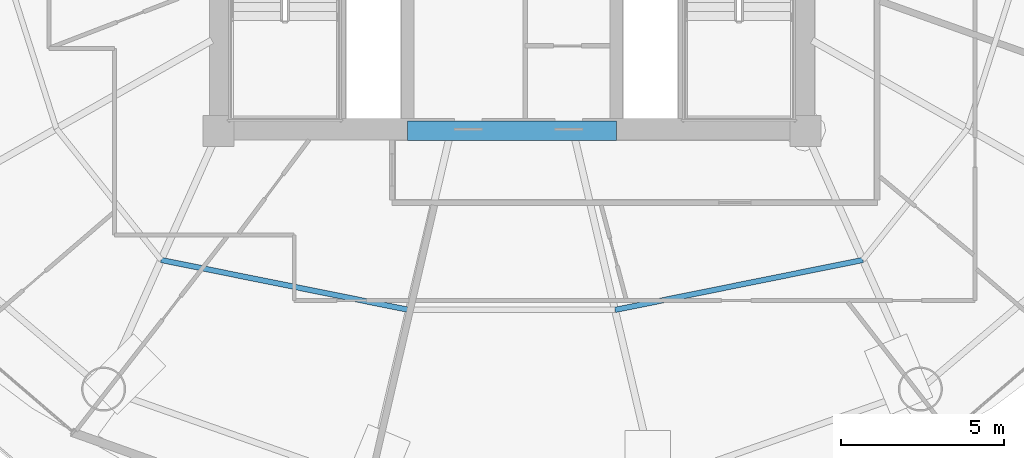
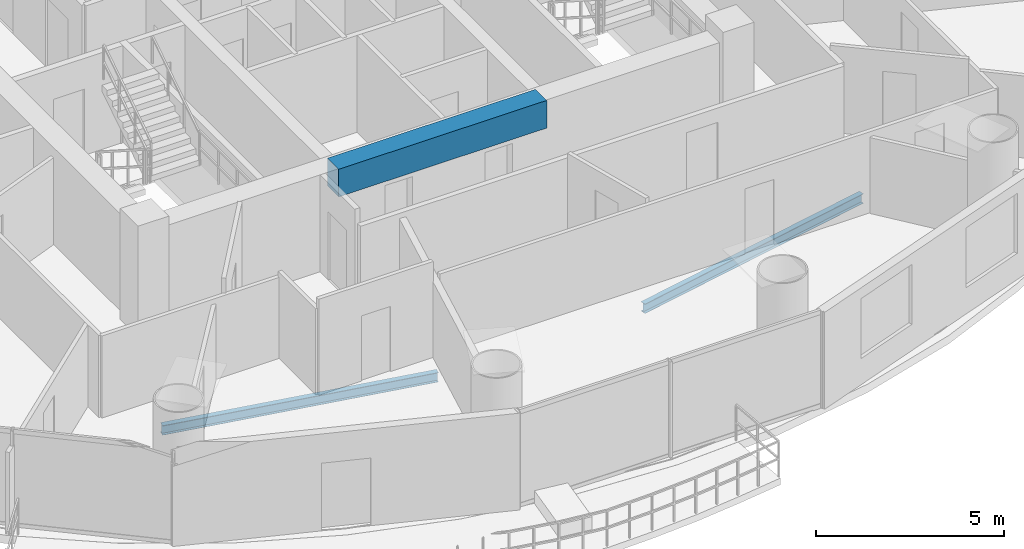
# One storey, part 5 of 26: 3 beams.
"""IFC4 building model written with IfcOpenShell, lengths in metres."""

import ifcopenshell
import ifcopenshell.guid

model = None  # the IFC model being written
_history = None  # IfcOwnerHistory: only IFC2X3 demands one
_inside = {}  # id of a spatial element -> (the spatial element, [elements in it])
_under = {}  # id of a project, library or spatial element -> (it, [spatial elements below it])
_declared = {}  # id of a project -> (the project, [libraries it declares])
_typed = {}  # id of a type object -> (the type object, [elements of that type])
_made_of = {}  # id of a material, layer set ... -> (it, [elements and type objects made of it])


def new_model(schema):
    """Start an empty IFC model of exactly this schema.

    Asked for "IFC4X3", IfcOpenShell would pick the latest addendum, in which some entities
    have other attributes; the version numbers below select the first issue.
    IFC2X3 requires an IfcOwnerHistory on every rooted entity: one is made here for all.
    """
    global model, _history
    if schema == "IFC4X3":
        model = ifcopenshell.file(schema_version=(4, 3, 0, 0))
    else:
        model = ifcopenshell.file(schema=schema)
    _inside.clear()
    _under.clear()
    _declared.clear()
    _typed.clear()
    _made_of.clear()
    _history = None
    if model.schema == "IFC2X3":
        org = make("IfcOrganization", Name="unknown")
        user = make(
            "IfcPersonAndOrganization",
            ThePerson=make("IfcPerson", FamilyName="unknown"),
            TheOrganization=org,
        )
        app = make(
            "IfcApplication",
            ApplicationDeveloper=org,
            Version="unknown",
            ApplicationFullName="unknown",
            ApplicationIdentifier="unknown",
        )
        _history = make(
            "IfcOwnerHistory",
            OwningUser=user,
            OwningApplication=app,
            ChangeAction="ADDED",
            CreationDate=0,
        )
    return model


def make(cls, **values):
    """One entity of the class cls with the attributes given. An attribute that is None is left unset."""
    return model.create_entity(
        cls, **{name: value for name, value in values.items() if value is not None}
    )


def rooted(cls, **values):
    """An entity with a GlobalId (a new one), such as an element, a storey or a relation."""
    return make(cls, GlobalId=ifcopenshell.guid.new(), OwnerHistory=_history, **values)


def si_unit(unit_type, name, prefix=None):
    """IfcSIUnit, for example si_unit("LENGTHUNIT", "METRE", prefix="MILLI")."""
    return make("IfcSIUnit", UnitType=unit_type, Prefix=prefix, Name=name)


def assignment(units):
    """IfcUnitAssignment: the units of a project."""
    return None if units is None else make("IfcUnitAssignment", Units=units)


def point(xyz):
    """IfcCartesianPoint."""
    return None if xyz is None else make("IfcCartesianPoint", Coordinates=xyz)


def direction(xyz):
    """IfcDirection."""
    return None if xyz is None else make("IfcDirection", DirectionRatios=xyz)


def frame(location, z_axis=None, x_axis=None):
    """IfcAxis2Placement3D, a coordinate frame: its origin and axes. An axis left out is left unset."""
    return make(
        "IfcAxis2Placement3D",
        Location=point(location),
        Axis=direction(z_axis),
        RefDirection=direction(x_axis),
    )


def frame_2d(location, x_axis=None):
    """IfcAxis2Placement2D, a coordinate frame in the plane: its origin and x axis."""
    return make(
        "IfcAxis2Placement2D", Location=point(location), RefDirection=direction(x_axis)
    )


def origin():
    """The frame at (0, 0, 0) with its axes left unset."""
    return frame((0.0, 0.0, 0.0))


def origin_2d():
    """The frame at (0, 0) in the plane with its x axis left unset."""
    return frame_2d((0.0, 0.0))


def place(relative_to, where):
    """IfcLocalPlacement: puts the frame where relative to a parent placement (None: the world)."""
    return make(
        "IfcLocalPlacement", PlacementRelTo=relative_to, RelativePlacement=where
    )


def context(
    kind, dimensions, precision=None, world=None, true_north=None, identifier=None
):
    """IfcGeometricRepresentationContext, for example the 3D "Model" context."""
    return make(
        "IfcGeometricRepresentationContext",
        ContextIdentifier=identifier,
        ContextType=kind,
        CoordinateSpaceDimension=dimensions,
        Precision=precision,
        WorldCoordinateSystem=world,
        TrueNorth=true_north,
    )


def subcontext(parent, identifier, kind, view, scale=None):
    """IfcGeometricRepresentationSubContext, for example "Body" below "Model"."""
    return make(
        "IfcGeometricRepresentationSubContext",
        ContextIdentifier=identifier,
        ContextType=kind,
        ParentContext=parent,
        TargetScale=scale,
        TargetView=view,
    )


def project(units=None, contexts=None):
    """IfcProject with its units and contexts."""
    return rooted(
        "IfcProject",
        Name="project",
        RepresentationContexts=contexts,
        UnitsInContext=assignment(units),
    )


def spatial(cls, under=None, at=None, **own):
    """A site, building, storey or space (cls), placed at a placement, below another one or the project."""
    s = rooted(cls, ObjectPlacement=at, **own)
    if under is not None:
        _under.setdefault(under.id(), (under, []))[1].append(s)
    return s


def profile(cls, at=None, kind="AREA", **sizes):
    """A parametric profile (cls). Its sizes go by their IFC names, for example OverallWidth=200.0."""
    return make(cls, ProfileType=kind, Position=at, **sizes)


def rectangle(**sizes):
    """IfcRectangleProfileDef."""
    return profile("IfcRectangleProfileDef", **sizes)


def i_section(**sizes):
    """IfcIShapeProfileDef."""
    return profile("IfcIShapeProfileDef", **sizes)


def extrude(swept, where, along, depth):
    """IfcExtrudedAreaSolid: the profile swept, set in the frame where, extruded along a direction by depth."""
    return make(
        "IfcExtrudedAreaSolid",
        SweptArea=swept,
        Position=where,
        ExtrudedDirection=direction(along),
        Depth=depth,
    )


def shape(context_of_items, identifier, shape_type, items):
    """IfcShapeRepresentation: the items that make up one representation, for example the "Body"."""
    return make(
        "IfcShapeRepresentation",
        ContextOfItems=context_of_items,
        RepresentationIdentifier=identifier,
        RepresentationType=shape_type,
        Items=items,
    )


def material(Name=None, Category=None):
    """IfcMaterial."""
    return make("IfcMaterial", Name=Name, Category=Category)


def material_profile(
    of_material, cross_section, Name=None, Category=None, Priority=None
):
    """IfcMaterialProfile: a cross section and its material."""
    return make(
        "IfcMaterialProfile",
        Name=Name,
        Material=of_material,
        Profile=cross_section,
        Priority=Priority,
        Category=Category,
    )


def profile_set(profiles, Name=None, composite=None):
    """IfcMaterialProfileSet."""
    return make(
        "IfcMaterialProfileSet",
        Name=Name,
        MaterialProfiles=profiles,
        CompositeProfile=composite,
    )


def made_of(thing, what):
    """Note that an element or type object is made of a material, layer set ...; save() writes the relation."""
    if what is not None:
        _made_of.setdefault(what.id(), (what, []))[1].append(thing)
    return thing


def type_object(cls, material=None, **own):
    """A type object (cls), such as IfcWallType, which elements share."""
    return made_of(rooted(cls, **own), material)


def element(
    cls,
    number,
    at=None,
    inside=None,
    cuts=None,
    type_object=None,
    material=None,
    context=None,
    identifier="Body",
    shape_type=None,
    held_by="IfcProductDefinitionShape",
    body=None,
    shapes=None,
    **own,
):
    """One element of the class cls, such as IfcWall. Its Tag is "e" and its number.

    at: its placement. inside: the storey or other place that contains it. cuts: it is an
    opening in that element (IfcRelVoidsElement). A single representation is given by context,
    identifier, shape_type and body (its items); several are given by shapes. held_by: the class
    of the entity that holds the representations. save() writes the other relations.
    """
    e = rooted(cls, Tag="e%d" % number, ObjectPlacement=at, **own)
    if body is not None:
        shapes = [shape(context, identifier, shape_type, body)]
    if shapes is not None:
        e.Representation = make(held_by, Representations=shapes)
    if inside is not None:
        _inside.setdefault(inside.id(), (inside, []))[1].append(e)
    if cuts is not None:
        rooted(
            "IfcRelVoidsElement", RelatingBuildingElement=cuts, RelatedOpeningElement=e
        )
    if type_object is not None:
        _typed.setdefault(type_object.id(), (type_object, []))[1].append(e)
    return made_of(e, material)


def aggregate(whole, parts):
    """IfcRelAggregates: a whole, such as a stair, and the parts it consists of."""
    return rooted("IfcRelAggregates", RelatingObject=whole, RelatedObjects=parts)


def save(model, path):
    """Write the relations noted so far, then the file.

    IfcRelAggregates (storeys below a building ...), IfcRelContainedInSpatialStructure (elements
    in a storey), IfcRelDefinesByType, IfcRelAssociatesMaterial and IfcRelDeclares: one each for
    every whole, place, type object, material and project.
    """
    for whole, parts in _under.values():
        aggregate(whole, parts)
    for where, things in _inside.values():
        rooted(
            "IfcRelContainedInSpatialStructure",
            RelatedElements=things,
            RelatingStructure=where,
        )
    for kind, things in _typed.values():
        rooted("IfcRelDefinesByType", RelatedObjects=things, RelatingType=kind)
    for what, things in _made_of.values():
        rooted("IfcRelAssociatesMaterial", RelatedObjects=things, RelatingMaterial=what)
    for by, libraries in _declared.values():
        rooted("IfcRelDeclares", RelatingContext=by, RelatedDefinitions=libraries)
    model.write(path)


model = new_model("IFC4")

# Units and contexts
model_context = context("Model", 3, precision=1e-05, world=origin(), true_north=direction((-0.2419218956, 0.970295726276)))
body_context = subcontext(model_context, "Body", "Model", "MODEL_VIEW")
ifc_project = project(units=[si_unit("LENGTHUNIT", "METRE"), si_unit("AREAUNIT", "SQUARE_METRE"), si_unit("VOLUMEUNIT", "CUBIC_METRE"), si_unit("PLANEANGLEUNIT", "RADIAN"), si_unit("MASSUNIT", "GRAM", prefix="KILO")], contexts=[model_context])

# Site, building, storey
site_placement = place(None, origin())
site = spatial("IfcSite", under=ifc_project, at=site_placement, CompositionType="ELEMENT")
building_placement = place(site_placement, origin())
building = spatial("IfcBuilding", under=site, at=building_placement, Name="Cobrevalo Terracotta Tower", CompositionType="ELEMENT")
storey_placement = place(building_placement, frame((0.0, 0.0, 182.199951171875)))
storey = spatial("IfcBuildingStorey", under=building, at=storey_placement, Name="L48", CompositionType="ELEMENT", Elevation=182.199951171875)

# Beams
ifc_material_1 = material(Name="Concrete C60", Category="concrete")
ifc_material_profile_1 = material_profile(ifc_material_1, rectangle(XDim=0.60009765625, YDim=0.89990234375, at=origin_2d()), Name="RC CB 600x900")
ifc_profile_set_1 = profile_set([ifc_material_profile_1], Name="Concrete C60")
beam_type_1 = type_object("IfcBeamType", Name="Structural Beam RC CB 600x900 (Concrete C60)", PredefinedType="BEAM", material=ifc_profile_set_1)
beam_placement = place(storey_placement, frame((34.800048828125, 18.800048828125, 2.699951171875), z_axis=(1.0, 0.0, 0.0), x_axis=(0.0, 1.0, 0.0)))
element("IfcBeam", 1, at=beam_placement, inside=storey, type_object=beam_type_1, Name="L48 core coupling beam 1", PredefinedType="BEAM", context=body_context, shape_type="SweptSolid", body=[
    extrude(rectangle(XDim=0.60009765625, YDim=0.89990234375, at=origin_2d()), origin(), (0.0, 0.0, 1.0), 6.39990234375),
])
ifc_material_2 = material(Name="Steel S355", Category="steel")
ifc_material_profile_2 = material_profile(ifc_material_2, i_section(OverallWidth=0.1650390625, OverallDepth=0.31005859375, WebThickness=0.005859375, FlangeThickness=0.009765625, at=origin_2d()), Name="W 310x38.7")
ifc_profile_set_2 = profile_set([ifc_material_profile_2], Name="Steel S355")
beam_type_2 = type_object("IfcBeamType", Name="Structural Joist W 310x38.7 (Steel S355)", PredefinedType="JOIST", material=ifc_profile_set_2)
for number, where, z_axis, x_axis, name in (
    (2, (27.23583984375, 14.838623046875, -0.425048828125), (0.980293928329, -0.197544461026, 0.0), (0.197544461026, 0.980293928329, 0.0), "L48 circumferential secondary floor joist 11"),
    (3, (41.16064453125, 13.306396484375, -0.425048828125), (0.980293928329, 0.197544461026, 0.0), (-0.197544461026, 0.980293928329, 0.0), "L48 circumferential secondary floor joist 13"),
):
    element("IfcBeam", number, at=place(storey_placement, frame(where, z_axis=z_axis, x_axis=x_axis)), inside=storey, type_object=beam_type_2, Name=name, PredefinedType="JOIST", context=body_context, shape_type="SweptSolid", body=[
        extrude(i_section(OverallWidth=0.1650390625, OverallDepth=0.31005859375, WebThickness=0.005859375, FlangeThickness=0.009765625, at=origin_2d()), origin(), (0.0, 0.0, 1.0), 7.75634765625),
    ])

save(model, "model.ifc")
